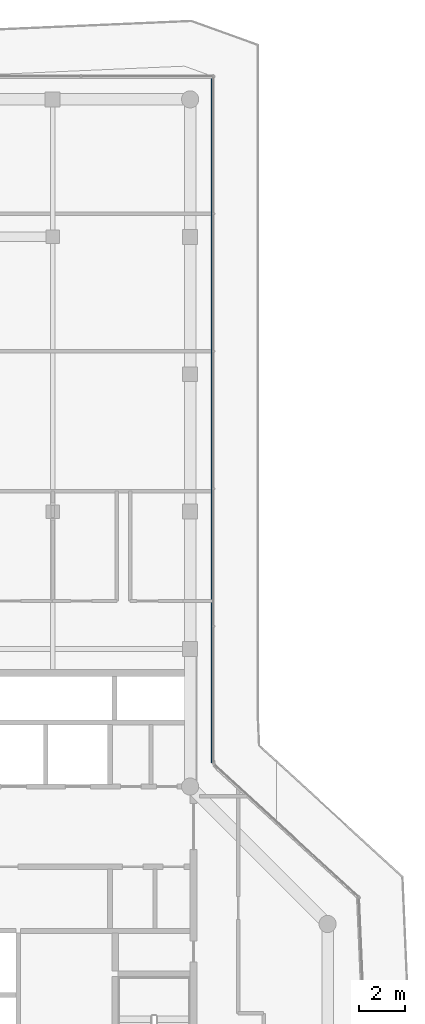
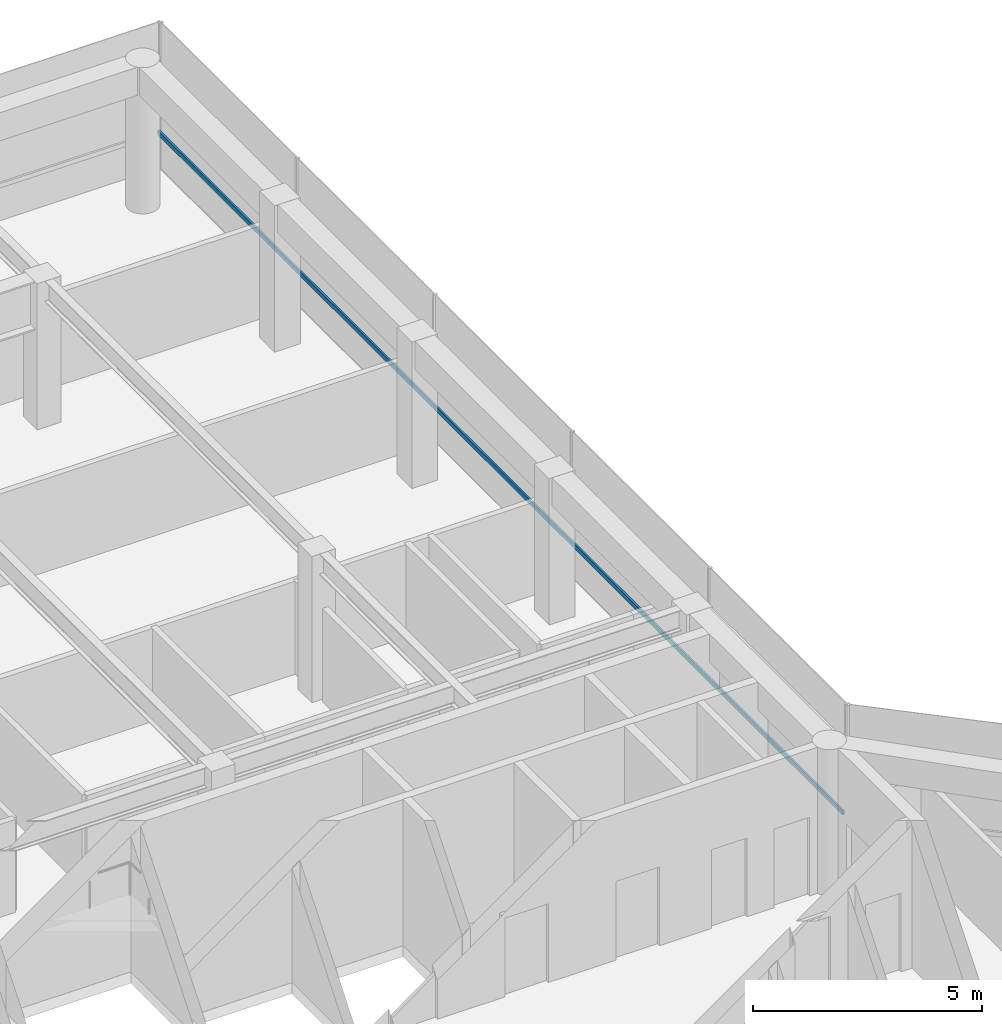
# One storey, part 10 of 19: 1 member, 1 element without a shape of its own.
"""IFC4 building model written with IfcOpenShell, lengths in metres."""

from ifc_helpers import new_model, si_unit, direction, frame, origin, origin_2d, place, context, subcontext, project, spatial, rectangle, extrude, material, layer, layer_set, material_profile, profile_set, type_object, element, aggregate, save


model = new_model("IFC4")

# Units and contexts
model_context = context("Model", 3, precision=1e-05, world=origin(), true_north=direction((0.0, 1.0)))
body_context = subcontext(model_context, "Body", "Model", "MODEL_VIEW")
ifc_project = project(units=[si_unit("LENGTHUNIT", "METRE"), si_unit("AREAUNIT", "SQUARE_METRE"), si_unit("VOLUMEUNIT", "CUBIC_METRE"), si_unit("PLANEANGLEUNIT", "RADIAN"), si_unit("MASSUNIT", "GRAM", prefix="KILO")], contexts=[model_context])

# Site, building, storey
site_placement = place(None, origin())
site = spatial("IfcSite", under=ifc_project, at=site_placement, CompositionType="ELEMENT")
building_placement = place(site_placement, origin())
building = spatial("IfcBuilding", under=site, at=building_placement, Name="Welwitschia Terrace Campus", CompositionType="ELEMENT")
storey_placement = place(building_placement, frame((0.0, 0.0, 323.0)))
storey = spatial("IfcBuildingStorey", under=building, at=storey_placement, Name="L72", CompositionType="ELEMENT", Elevation=323.0)

# Curtain wall, member
ifc_material_1 = material(Name="Bronze anodised aluminium", Category="aluminium")
ifc_layer = layer(ifc_material_1, 0.10009765625)
ifc_layer_set = layer_set([ifc_layer], Name="Bronze anodised aluminium")
curtain_wall_type = type_object("IfcCurtainWallType", Name="Curtain wall CW5 crown 6000", PredefinedType="NOTDEFINED", material=ifc_layer_set)
curtain_wall_placement = place(storey_placement, origin())
curtain_wall = element("IfcCurtainWall", 1, at=curtain_wall_placement, inside=storey, type_object=curtain_wall_type, Name="CW L72.6.0", PredefinedType="NOTDEFINED")
ifc_material_2 = material(Name="Bronze anodised aluminium", Category="aluminium")
ifc_material_profile = material_profile(ifc_material_2, rectangle(XDim=0.050048828125, YDim=0.1201171875, at=origin_2d()))
ifc_profile_set = profile_set([ifc_material_profile], Name="Bronze anodised aluminium")
member_type = type_object("IfcMemberType", Name="Transom 50x120", PredefinedType="USERDEFINED", material=ifc_profile_set)
member_placement = place(storey_placement, frame((24.955078125, 21.035400390625, 1.0), z_axis=(0.0, 1.0, 0.0), x_axis=(-1.0, 0.0, 0.0)))
member = element("IfcMember", 2, at=member_placement, type_object=member_type, Name="Transom L72.6.0", ObjectType="TRANSOM", PredefinedType="USERDEFINED", context=body_context, shape_type="SweptSolid", body=[
    extrude(rectangle(XDim=0.050048828125, YDim=0.1201171875, at=origin_2d()), origin(), (0.0, 0.0, 1.0), 29.935791015625),
])
aggregate(curtain_wall, [member])

save(model, "model.ifc")
